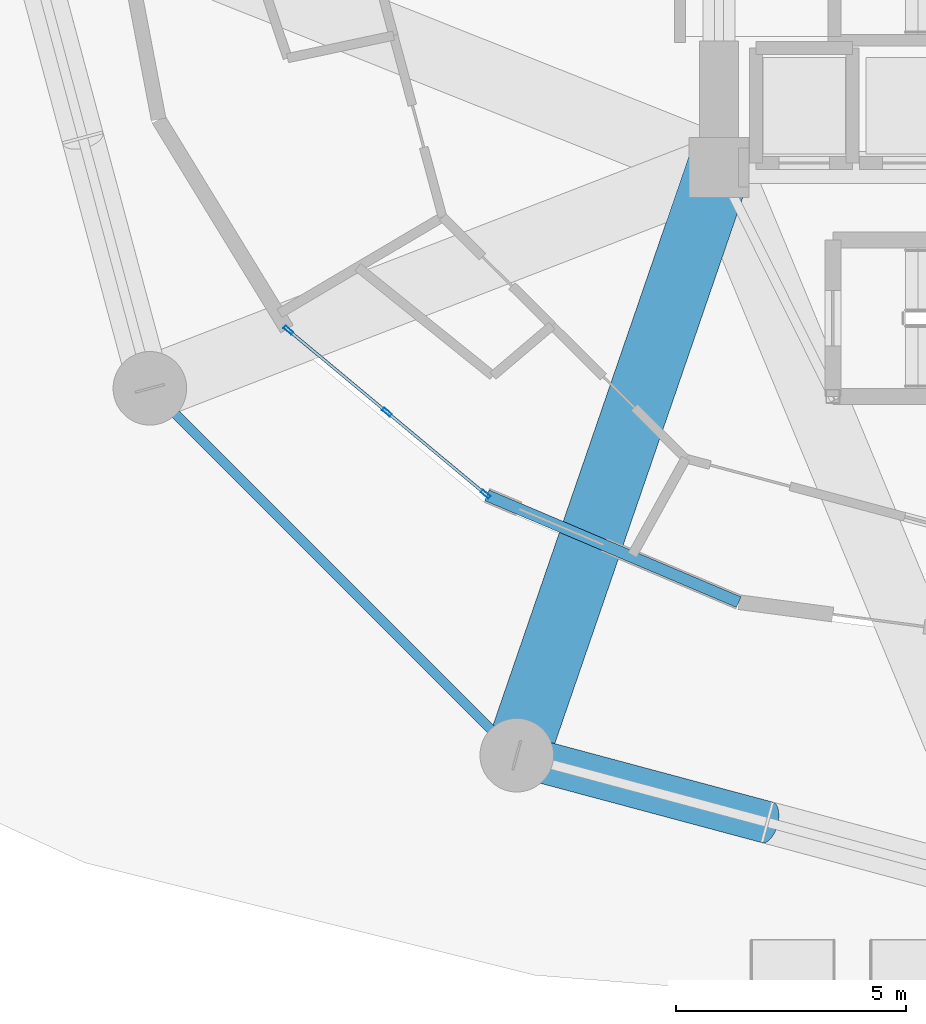
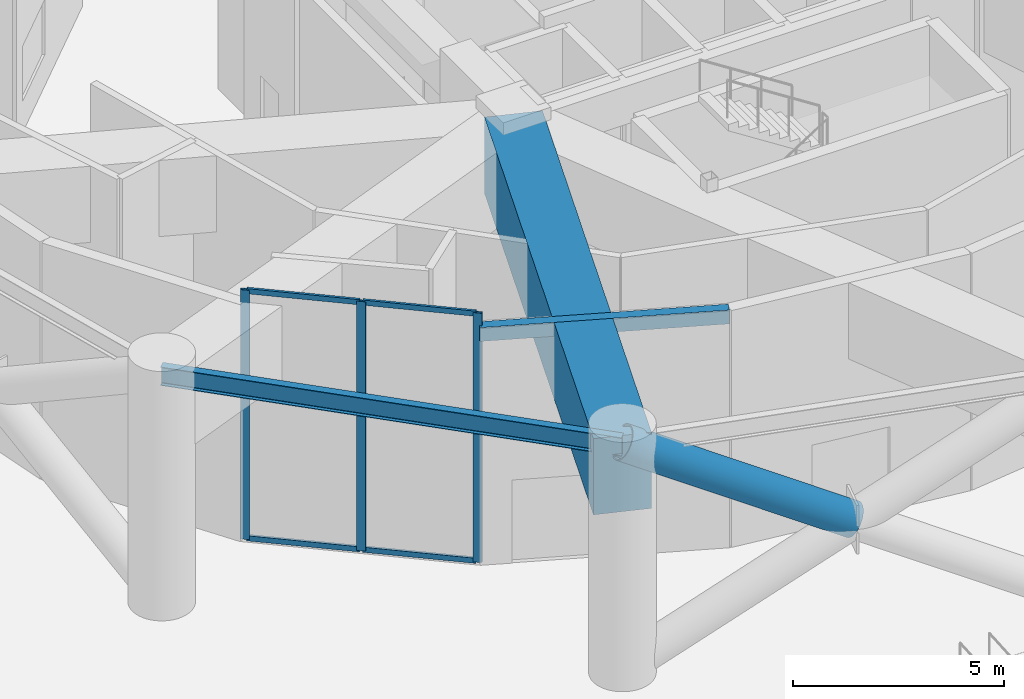
# One storey, part 4 of 16: 8 members, 3 beams, 1 element without a shape of its own.
"""IFC4 building model written with IfcOpenShell, lengths in metres."""

from ifc_helpers import new_model, si_unit, direction, frame, origin, origin_2d, place, context, subcontext, project, spatial, rectangle, hollow_rectangle, hollow_circle, i_section, extrude, source, transform, mapped, material, layer, layer_set, material_profile, profile_set, type_object, element, aggregate, save


model = new_model("IFC4")

# Units and contexts
model_context = context("Model", 3, precision=1e-05, world=origin(), true_north=direction((0.0, 1.0)))
body_context = subcontext(model_context, "Body", "Model", "MODEL_VIEW")
ifc_project = project(units=[si_unit("LENGTHUNIT", "METRE"), si_unit("AREAUNIT", "SQUARE_METRE"), si_unit("VOLUMEUNIT", "CUBIC_METRE"), si_unit("PLANEANGLEUNIT", "RADIAN"), si_unit("MASSUNIT", "GRAM", prefix="KILO")], contexts=[model_context])

# Site, building, storey
site_placement = place(None, origin())
site = spatial("IfcSite", under=ifc_project, at=site_placement, CompositionType="ELEMENT")
building_placement = place(site_placement, origin())
building = spatial("IfcBuilding", under=site, at=building_placement, Name="Solvirekh Grand Hotel", CompositionType="ELEMENT")
storey_placement = place(building_placement, origin())
storey = spatial("IfcBuildingStorey", under=building, at=storey_placement, Name="L00", CompositionType="ELEMENT", Elevation=0.0)

# Member
ifc_material_1 = material(Name="Steel S460", Category="steel")
ifc_material_profile_1 = material_profile(ifc_material_1, hollow_circle(Radius=0.45703125, WallThickness=0.031982421875, at=origin_2d()), Name="CHS 914X32")
ifc_profile_set_1 = profile_set([ifc_material_profile_1], Name="Steel S460")
member_type_1 = type_object("IfcMemberType", Name="Brace_Stilt_CHS914", PredefinedType="BRACE", material=ifc_profile_set_1)
member_1_placement = place(storey_placement, frame((-5.449951171875, -20.340087890625, 3.39990234375), z_axis=(-0.836974339887, 0.224400458013, 0.499117610203), x_axis=(-0.258963171163, -0.965887196303, 0.0)))
element("IfcMember", 1, at=member_1_placement, inside=storey, type_object=member_type_1, Name="L00 Constructivist split upper X-brace diagonal 9B2", PredefinedType="BRACE", context=body_context, shape_type="SweptSolid", body=[
    extrude(hollow_circle(Radius=0.45703125, WallThickness=0.031982421875, at=origin_2d()), origin(), (0.0, 0.0, 1.0), 6.511474609375),
])

# Beams
ifc_material_2 = material(Name="Precast concrete C45/55", Category="concrete")
ifc_material_profile_2 = material_profile(ifc_material_2, rectangle(XDim=0.25, YDim=0.39990234375, at=origin_2d()), Name="RC LINTEL 250X400")
ifc_profile_set_2 = profile_set([ifc_material_profile_2], Name="Precast concrete C45/55")
beam_type_1 = type_object("IfcBeamType", Name="Lintel_RC400", PredefinedType="LINTEL", material=ifc_profile_set_2)
beam_1_placement = place(storey_placement, frame((-6.072021484375, -15.550048828125, 6.639892578125), z_axis=(-0.920643013012, 0.390405484839, 0.0), x_axis=(-0.390405484839, -0.920643013012, 0.0)))
element("IfcBeam", 2, at=beam_1_placement, inside=storey, type_object=beam_type_1, Name="L00 exterior lobby portal precast lintel 6", PredefinedType="LINTEL", context=body_context, shape_type="SweptSolid", body=[
    extrude(rectangle(XDim=0.25, YDim=0.39990234375, at=origin_2d()), origin(), (0.0, 0.0, 1.0), 5.9501953125),
])
ifc_material_3 = material(Name="Steel S355", Category="steel")
ifc_material_profile_3 = material_profile(ifc_material_3, i_section(OverallWidth=0.208984375, OverallDepth=0.532958984375, WebThickness=0.010009765625, FlangeThickness=0.014892578125, FilletRadius=0.013916015625, at=origin_2d()), Name="W530X92")
ifc_profile_set_3 = profile_set([ifc_material_profile_3], Name="Steel S355")
beam_type_2 = type_object("IfcBeamType", Name="Spandrel_Ring_W530", PredefinedType="SPANDREL", material=ifc_profile_set_3)
beam_2_placement = place(storey_placement, frame((-18.87890625, -10.89990234375, 6.573974609375), z_axis=(0.707106781187, -0.707106781187, 0.0), x_axis=(0.707106781187, 0.707106781187, 0.0)))
element("IfcBeam", 3, at=beam_2_placement, inside=storey, type_object=beam_type_2, Name="L00 perimeter spandrel beam 8", PredefinedType="SPANDREL", context=body_context, shape_type="SweptSolid", body=[
    extrude(i_section(OverallWidth=0.208984375, OverallDepth=0.532958984375, WebThickness=0.010009765625, FlangeThickness=0.014892578125, FilletRadius=0.013916015625, at=origin_2d()), origin(), (0.0, 0.0, 1.0), 11.283935546875),
])
ifc_material_4 = material(Name="Concrete C60/75", Category="concrete")
ifc_material_profile_4 = material_profile(ifc_material_4, rectangle(XDim=1.39990234375, YDim=2.199951171875, at=origin_2d()), Name="RC GIRDER 1400X2200")
ifc_profile_set_4 = profile_set([ifc_material_profile_4], Name="Concrete C60/75")
beam_type_3 = type_object("IfcBeamType", Name="TransferGirder_RC2200", PredefinedType="USERDEFINED", material=ifc_profile_set_4)
beam_3_placement = place(storey_placement, frame((-6.5, -6.10009765625, 5.739990234375), z_axis=(-0.325555300394, -0.94552300151, 0.0), x_axis=(0.94552300151, -0.325555300394, 0.0)))
element("IfcBeam", 4, at=beam_3_placement, inside=storey, type_object=beam_type_3, Name="L00 radial transfer girder 9", ObjectType="TRANSFER GIRDER", PredefinedType="USERDEFINED", context=body_context, shape_type="SweptSolid", body=[
    extrude(rectangle(XDim=1.39990234375, YDim=2.199951171875, at=origin_2d()), origin(), (0.0, 0.0, 1.0), 13.51513671875),
])

# Curtain wall, members
ifc_material_5 = material(Name="Anodized Bronze Aluminium 6063-T6", Category="aluminium")
ifc_layer = layer(ifc_material_5, 0.219970703125)
ifc_layer_set = layer_set([ifc_layer], Name="Anodized Bronze Aluminium 6063-T6")
curtain_wall_type = type_object("IfcCurtainWallType", Name="CW_Sys1_PodiumBronzeUnitised", PredefinedType="NOTDEFINED", material=ifc_layer_set)
curtain_wall_placement = place(storey_placement, origin())
curtain_wall = element("IfcCurtainWall", 5, at=curtain_wall_placement, inside=storey, type_object=curtain_wall_type, Name="L00 unitised bronze-glass curtain wall CW-L00-C13", PredefinedType="NOTDEFINED")
ifc_material_profile_5 = material_profile(ifc_material_5, hollow_rectangle(XDim=0.074951171875, YDim=0.219970703125, WallThickness=0.006103515625, at=origin_2d()), Name="ALU RHS 220X75X6")
ifc_profile_set_5 = profile_set([ifc_material_profile_5], Name="Anodized Bronze Aluminium 6063-T6")
member_type_2 = type_object("IfcMemberType", Name="CWMullion_Sys1", PredefinedType="MULLION", material=ifc_profile_set_5)
shared_shape_1 = source(origin(), body_context, "Body", "SweptSolid", [
    extrude(hollow_rectangle(XDim=0.074951171875, YDim=0.219970703125, WallThickness=0.006103515625, at=origin_2d()), origin(), (0.0, 0.0, 1.0), 7.199951171875),
])
member_2_placement = place(storey_placement, frame((-15.8681640625, -9.634033203125, 0.0), z_axis=(0.0, 0.0, 1.0), x_axis=(0.639610233721, 0.768699387875, 0.0)))
member_2 = element("IfcMember", 6, at=member_2_placement, type_object=member_type_2, Name="U01 mullion 1", PredefinedType="MULLION", context=body_context, shape_type="MappedRepresentation", body=[
    mapped(shared_shape_1, transform((0.0, 0.0, 0.0), x_axis=(1.0, 0.0, 0.0), y_axis=(0.0, 1.0, 0.0), z_axis=(0.0, 0.0, 1.0), scale=1.0)),
])
member_3_placement = place(storey_placement, frame((-13.723388671875, -11.41845703125, 0.0), z_axis=(0.0, 0.0, 1.0), x_axis=(0.639610233721, 0.768699387875, 0.0)))
member_3 = element("IfcMember", 7, at=member_3_placement, type_object=member_type_2, Name="U01 mullion 2", PredefinedType="MULLION", context=body_context, shape_type="MappedRepresentation", body=[
    mapped(shared_shape_1, transform((0.0, 0.0, 0.0), x_axis=(1.0, 0.0, 0.0), y_axis=(0.0, 1.0, 0.0), z_axis=(0.0, 0.0, 1.0), scale=1.0)),
])
member_4_placement = place(storey_placement, frame((-11.578857421875, -13.203125, 0.0), z_axis=(0.0, 0.0, 1.0), x_axis=(0.639610233721, 0.768699387875, 0.0)))
member_4 = element("IfcMember", 8, at=member_4_placement, type_object=member_type_2, Name="U01 mullion 3", PredefinedType="MULLION", context=body_context, shape_type="MappedRepresentation", body=[
    mapped(shared_shape_1, transform((0.0, 0.0, 0.0), x_axis=(1.0, 0.0, 0.0), y_axis=(0.0, 1.0, 0.0), z_axis=(0.0, 0.0, 1.0), scale=1.0)),
])
ifc_material_profile_6 = material_profile(ifc_material_5, hollow_rectangle(XDim=0.06494140625, YDim=0.14990234375, WallThickness=0.0048828125, at=origin_2d()), Name="ALU RHS 150X65X5")
ifc_profile_set_6 = profile_set([ifc_material_profile_6], Name="Anodized Bronze Aluminium 6063-T6")
member_type_3 = type_object("IfcMemberType", Name="CWTransom_Sys1", PredefinedType="USERDEFINED", material=ifc_profile_set_6)
shared_shape_2 = source(origin(), body_context, "Body", "SweptSolid", [
    extrude(hollow_rectangle(XDim=0.06494140625, YDim=0.14990234375, WallThickness=0.0048828125, at=origin_2d()), origin(), (0.0, 0.0, 1.0), 2.71484375),
])
member_5_placement = place(storey_placement, frame((-15.83935546875, -9.657958984375, 0.032470703125), z_axis=(0.768678079275, -0.639635842055, 0.0), x_axis=(0.639635842055, 0.768678079275, 0.0)))
member_5 = element("IfcMember", 9, at=member_5_placement, type_object=member_type_3, Name="U01 transom 1.1", ObjectType="TRANSOM", PredefinedType="USERDEFINED", context=body_context, shape_type="MappedRepresentation", body=[
    mapped(shared_shape_2, transform((0.0, 0.0, 0.0), x_axis=(1.0, 0.0, 0.0), y_axis=(0.0, 1.0, 0.0), z_axis=(0.0, 0.0, 1.0), scale=1.0)),
])
member_6_placement = place(storey_placement, frame((-15.83935546875, -9.657958984375, 7.16748046875), z_axis=(0.768678079275, -0.639635842055, 0.0), x_axis=(0.639635842055, 0.768678079275, 0.0)))
member_6 = element("IfcMember", 10, at=member_6_placement, type_object=member_type_3, Name="U01 transom 1.2", ObjectType="TRANSOM", PredefinedType="USERDEFINED", context=body_context, shape_type="MappedRepresentation", body=[
    mapped(shared_shape_2, transform((0.0, 0.0, 0.0), x_axis=(1.0, 0.0, 0.0), y_axis=(0.0, 1.0, 0.0), z_axis=(0.0, 0.0, 1.0), scale=1.0)),
])
member_7_placement = place(storey_placement, frame((-13.694580078125, -11.4423828125, 0.032470703125), z_axis=(0.768678079275, -0.639635842055, 0.0), x_axis=(0.639635842055, 0.768678079275, 0.0)))
member_7 = element("IfcMember", 11, at=member_7_placement, type_object=member_type_3, Name="U01 transom 2.1", ObjectType="TRANSOM", PredefinedType="USERDEFINED", context=body_context, shape_type="MappedRepresentation", body=[
    mapped(shared_shape_2, transform((0.0, 0.0, 0.0), x_axis=(1.0, 0.0, 0.0), y_axis=(0.0, 1.0, 0.0), z_axis=(0.0, 0.0, 1.0), scale=1.0)),
])
member_8_placement = place(storey_placement, frame((-13.694580078125, -11.4423828125, 7.16748046875), z_axis=(0.768678079275, -0.639635842055, 0.0), x_axis=(0.639635842055, 0.768678079275, 0.0)))
member_8 = element("IfcMember", 12, at=member_8_placement, type_object=member_type_3, Name="U01 transom 2.2", ObjectType="TRANSOM", PredefinedType="USERDEFINED", context=body_context, shape_type="MappedRepresentation", body=[
    mapped(shared_shape_2, transform((0.0, 0.0, 0.0), x_axis=(1.0, 0.0, 0.0), y_axis=(0.0, 1.0, 0.0), z_axis=(0.0, 0.0, 1.0), scale=1.0)),
])
aggregate(curtain_wall, [member_2, member_3, member_4, member_5, member_6, member_7, member_8])

save(model, "model.ifc")
